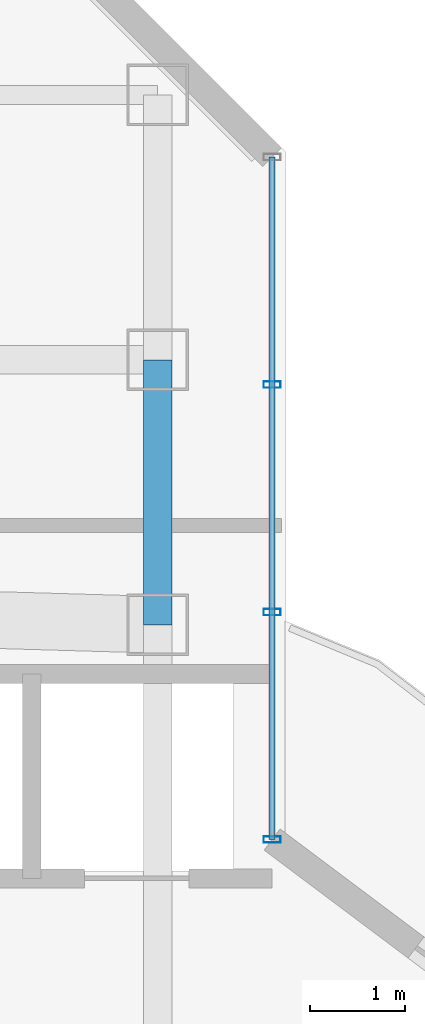
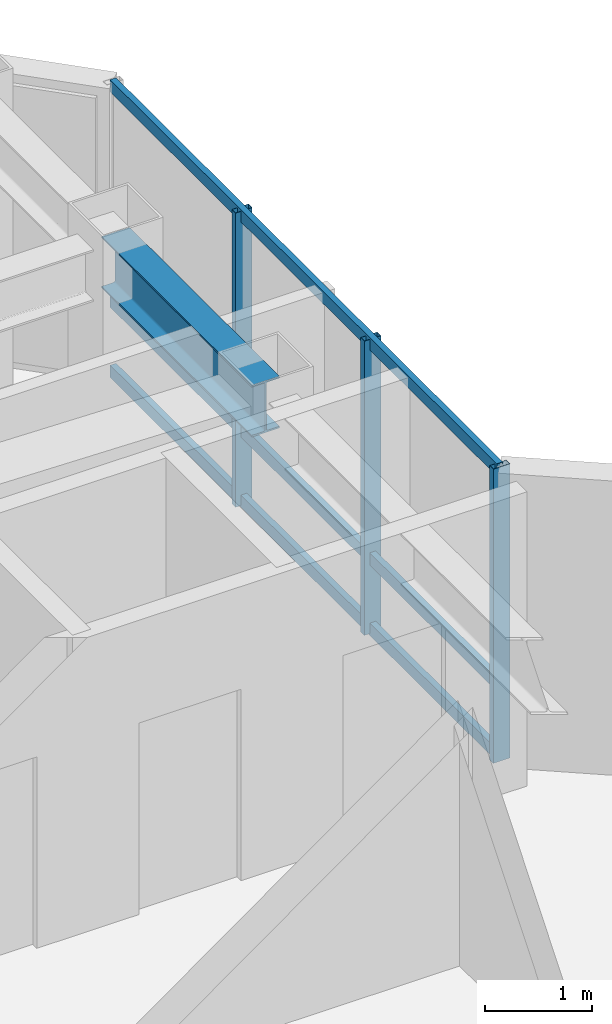
# One storey, part 12 of 22: 6 members, 1 beam, 1 element without a shape of its own.
"""IFC4 building model written with IfcOpenShell, lengths in metres."""

from ifc_helpers import new_model, si_unit, direction, frame, origin, origin_2d, place, context, subcontext, project, spatial, hollow_rectangle, i_section, extrude, material, layer, layer_set, material_profile, profile_set, type_object, element, aggregate, save


model = new_model("IFC4")

# Units and contexts
model_context = context("Model", 3, precision=1e-05, world=origin(), true_north=direction((0.0, 1.0)))
body_context = subcontext(model_context, "Body", "Model", "MODEL_VIEW")
ifc_project = project(units=[si_unit("LENGTHUNIT", "METRE"), si_unit("AREAUNIT", "SQUARE_METRE"), si_unit("VOLUMEUNIT", "CUBIC_METRE"), si_unit("PLANEANGLEUNIT", "RADIAN"), si_unit("MASSUNIT", "GRAM", prefix="KILO")], contexts=[model_context])

# Site, building, storey
site_placement = place(None, origin())
site = spatial("IfcSite", under=ifc_project, at=site_placement, CompositionType="ELEMENT")
building_placement = place(site_placement, origin())
building = spatial("IfcBuilding", under=site, at=building_placement, Name="Hatsunagi Terrace Concourse", CompositionType="ELEMENT")
storey_placement = place(building_placement, frame((0.0, 0.0, 243.14990234375)))
storey = spatial("IfcBuildingStorey", under=building, at=storey_placement, Name="L64", CompositionType="ELEMENT", Elevation=243.14990234375)

# Curtain wall, members
ifc_material_1 = material(Name="Anodised Aluminium Alloy 6063-T5", Category="aluminium")
ifc_layer = layer(ifc_material_1, 0.199951171875)
ifc_layer_set = layer_set([ifc_layer], Name="OfficeZone2_CW04")
curtain_wall_type = type_object("IfcCurtainWallType", Name="OfficeZone2_CW04", PredefinedType="NOTDEFINED", material=ifc_layer_set)
curtain_wall_placement = place(storey_placement, origin())
curtain_wall = element("IfcCurtainWall", 1, at=curtain_wall_placement, inside=storey, type_object=curtain_wall_type, Name="Unitised Curtain Wall CW-04 CW-L64-12", PredefinedType="NOTDEFINED")
ifc_material_2 = material(Name="Anodised Aluminium Alloy 6063-T5", Category="aluminium")
ifc_material_profile_1 = material_profile(ifc_material_2, hollow_rectangle(XDim=0.070068359375, YDim=0.179931640625, WallThickness=0.00390625, at=origin_2d()), Name="ALU-MUL-180x70x4")
ifc_profile_set_1 = profile_set([ifc_material_profile_1], Name="Anodised Aluminium Alloy 6063-T5")
member_type_1 = type_object("IfcMemberType", Name="CurtainWallMullion_180x70", PredefinedType="MULLION", material=ifc_profile_set_1)
member_1_placement = place(storey_placement, frame((44.860107421875, 45.5380859375, 0.0), z_axis=(0.0, 0.0, 1.0), x_axis=(0.0, -1.0, 0.0)))
member_1 = element("IfcMember", 2, at=member_1_placement, type_object=member_type_1, Name="Curtain Wall Mullion MUL-02", PredefinedType="MULLION", context=body_context, shape_type="SweptSolid", body=[
    extrude(hollow_rectangle(XDim=0.070068359375, YDim=0.179931640625, WallThickness=0.00390625, at=origin_2d()), origin(), (0.0, 0.0, 1.0), 3.35009765625),
])
member_2_placement = place(storey_placement, frame((44.860107421875, 43.134033203125, 0.0), z_axis=(0.0, 0.0, 1.0), x_axis=(0.0, -1.0, 0.0)))
member_2 = element("IfcMember", 3, at=member_2_placement, type_object=member_type_1, Name="Curtain Wall Mullion MUL-02", PredefinedType="MULLION", context=body_context, shape_type="SweptSolid", body=[
    extrude(hollow_rectangle(XDim=0.070068359375, YDim=0.179931640625, WallThickness=0.00390625, at=origin_2d()), origin(), (0.0, 0.0, 1.0), 3.35009765625),
])
member_3_placement = place(storey_placement, frame((44.860107421875, 40.72998046875, 0.0), z_axis=(0.0, 0.0, 1.0), x_axis=(0.0, -1.0, 0.0)))
member_3 = element("IfcMember", 4, at=member_3_placement, type_object=member_type_1, Name="Curtain Wall Mullion MUL-02", PredefinedType="MULLION", context=body_context, shape_type="SweptSolid", body=[
    extrude(hollow_rectangle(XDim=0.070068359375, YDim=0.179931640625, WallThickness=0.00390625, at=origin_2d()), origin(), (0.0, 0.0, 1.0), 3.35009765625),
])
ifc_material_3 = material(Name="Anodised Aluminium Alloy 6063-T5", Category="aluminium")
ifc_material_profile_2 = material_profile(ifc_material_3, hollow_rectangle(XDim=0.06494140625, YDim=0.139892578125, WallThickness=0.00390625, at=origin_2d()), Name="ALU-TRN-140x65x4")
ifc_profile_set_2 = profile_set([ifc_material_profile_2], Name="Anodised Aluminium Alloy 6063-T5")
member_type_2 = type_object("IfcMemberType", Name="CurtainWallTransom_140x65", PredefinedType="USERDEFINED", material=ifc_profile_set_2)
member_4_placement = place(storey_placement, frame((44.860107421875, 47.94189453125, 0.050048828125), z_axis=(0.0, -1.0, 0.0), x_axis=(1.0, 0.0, 0.0)))
member_4 = element("IfcMember", 5, at=member_4_placement, type_object=member_type_2, Name="Curtain Wall Transom TRN-02", ObjectType="TRANSOM", PredefinedType="USERDEFINED", context=body_context, shape_type="SweptSolid", body=[
    extrude(hollow_rectangle(XDim=0.06494140625, YDim=0.139892578125, WallThickness=0.00390625, at=origin_2d()), origin(), (0.0, 0.0, 1.0), 7.2119140625),
])
member_5_placement = place(storey_placement, frame((44.860107421875, 47.94189453125, 0.85009765625), z_axis=(0.0, -1.0, 0.0), x_axis=(1.0, 0.0, 0.0)))
member_5 = element("IfcMember", 6, at=member_5_placement, type_object=member_type_2, Name="Curtain Wall Transom TRN-02", ObjectType="TRANSOM", PredefinedType="USERDEFINED", context=body_context, shape_type="SweptSolid", body=[
    extrude(hollow_rectangle(XDim=0.06494140625, YDim=0.139892578125, WallThickness=0.00390625, at=origin_2d()), origin(), (0.0, 0.0, 1.0), 7.2119140625),
])
member_6_placement = place(storey_placement, frame((44.860107421875, 47.94189453125, 3.300048828125), z_axis=(0.0, -1.0, 0.0), x_axis=(1.0, 0.0, 0.0)))
member_6 = element("IfcMember", 7, at=member_6_placement, type_object=member_type_2, Name="Curtain Wall Transom TRN-02", ObjectType="TRANSOM", PredefinedType="USERDEFINED", context=body_context, shape_type="SweptSolid", body=[
    extrude(hollow_rectangle(XDim=0.06494140625, YDim=0.139892578125, WallThickness=0.00390625, at=origin_2d()), origin(), (0.0, 0.0, 1.0), 7.2119140625),
])
aggregate(curtain_wall, [member_1, member_2, member_3, member_4, member_5, member_6])

# Beam
ifc_material_4 = material(Name="Steel SN490B", Category="steel")
ifc_material_profile_3 = material_profile(ifc_material_4, i_section(OverallWidth=0.300048828125, OverallDepth=0.587890625, WebThickness=0.011962890625, FlangeThickness=0.02001953125, FilletRadius=0.01806640625, at=origin_2d()), Name="H-588x300x12x20")
ifc_profile_set_3 = profile_set([ifc_material_profile_3], Name="Steel SN490B")
beam_type = type_object("IfcBeamType", Name="OfficeHighGirder_H_588x300", PredefinedType="BEAM", material=ifc_profile_set_3)
beam_placement = place(storey_placement, frame((43.64990234375, 43.0, 3.05615234375), z_axis=(0.0, 1.0, 0.0), x_axis=(-1.0, 0.0, 0.0)))
element("IfcBeam", 8, at=beam_placement, inside=storey, type_object=beam_type, Name="Beam G-06 BM-L64-CN3", PredefinedType="BEAM", context=body_context, shape_type="SweptSolid", body=[
    extrude(i_section(OverallWidth=0.300048828125, OverallDepth=0.587890625, WebThickness=0.011962890625, FlangeThickness=0.02001953125, FilletRadius=0.01806640625, at=origin_2d()), origin(), (0.0, 0.0, 1.0), 2.800048828125),
])

save(model, "model.ifc")
